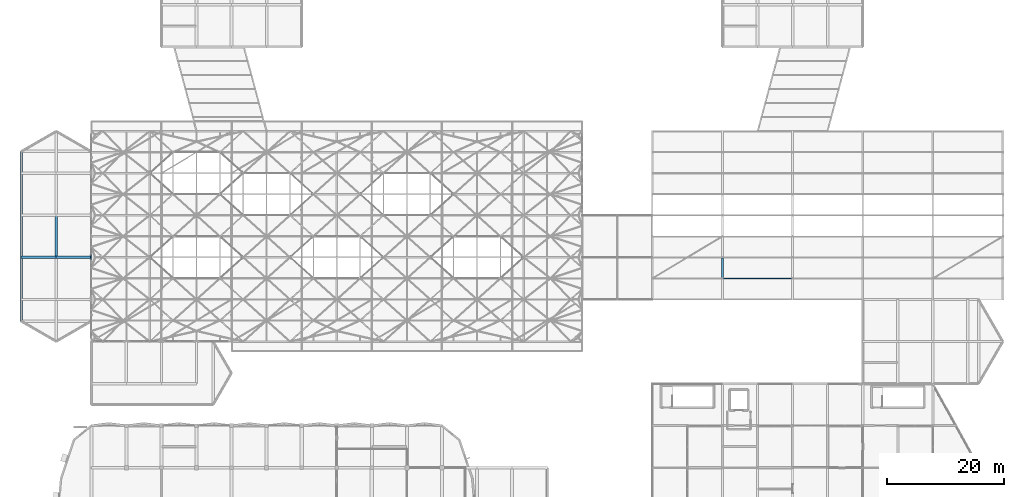
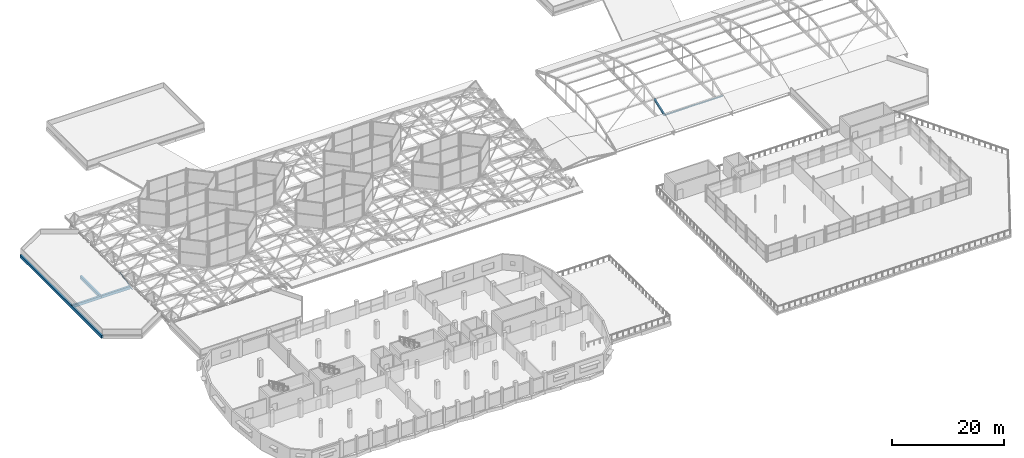
# One storey, part 50 of 239: 5 beams, 2 members.
"""IFC4 building model written with IfcOpenShell, lengths in metres."""

from ifc_helpers import new_model, si_unit, direction, frame, origin, origin_2d, place, context, subcontext, project, spatial, rectangle, hollow_circle, i_section, extrude, material, material_profile, profile_set, type_object, element, save


model = new_model("IFC4")

# Units and contexts
model_context = context("Model", 3, precision=1e-05, world=origin(), true_north=direction((0.0, 1.0)))
body_context = subcontext(model_context, "Body", "Model", "MODEL_VIEW")
ifc_project = project(units=[si_unit("LENGTHUNIT", "METRE"), si_unit("AREAUNIT", "SQUARE_METRE"), si_unit("VOLUMEUNIT", "CUBIC_METRE"), si_unit("PLANEANGLEUNIT", "RADIAN"), si_unit("MASSUNIT", "GRAM", prefix="KILO")], contexts=[model_context])

# Site, building, storey
site_placement = place(None, origin())
site = spatial("IfcSite", under=ifc_project, at=site_placement, CompositionType="ELEMENT")
building_placement = place(site_placement, origin())
building = spatial("IfcBuilding", under=site, at=building_placement, Name="Dunvalen Ferry Terminal", CompositionType="ELEMENT")
storey_placement = place(building_placement, frame((0.0, 0.0, 9.840087890625)))
storey = spatial("IfcBuildingStorey", under=building, at=storey_placement, Name="L02", CompositionType="ELEMENT", Elevation=9.840087890625)

# Beams
ifc_material_1 = material(Name="Steel S355", Category="steel")
ifc_material_profile_1 = material_profile(ifc_material_1, i_section(OverallWidth=0.300048828125, OverallDepth=0.389892578125, WebThickness=0.010986328125, FlangeThickness=0.01904296875, FilletRadius=0.027099609375, at=origin_2d()), Name="Steel S355")
ifc_profile_set_1 = profile_set([ifc_material_profile_1], Name="Steel S355")
beam_type_1 = type_object("IfcBeamType", Name="STR-BM-HEA400", PredefinedType="BEAM", material=ifc_profile_set_1)
beam_1_placement = place(storey_placement, frame((120.0, 61.199951171875, 1.530517578125), z_axis=(0.0, 0.940736051004, 0.33913962072), x_axis=(-1.0, 0.0, 0.0)))
element("IfcBeam", 1, at=beam_1_placement, inside=storey, type_object=beam_type_1, Name="Arrivals Hall Barrel-Vault Arch Rib 02.2", PredefinedType="BEAM", context=body_context, shape_type="SweptSolid", body=[
    extrude(i_section(OverallWidth=0.300048828125, OverallDepth=0.389892578125, WebThickness=0.010986328125, FlangeThickness=0.01904296875, FilletRadius=0.027099609375, at=origin_2d()), origin(), (0.0, 0.0, 1.0), 3.826904296875),
])
ifc_material_2 = material(Name="Concrete C35/45", Category="concrete")
ifc_material_profile_2 = material_profile(ifc_material_2, rectangle(XDim=0.39990234375, YDim=0.60009765625, at=origin_2d()), Name="Concrete C35/45")
ifc_profile_set_2 = profile_set([ifc_material_profile_2], Name="Concrete C35/45")
beam_type_2 = type_object("IfcBeamType", Name="STR-BM-RCB600", PredefinedType="BEAM", material=ifc_profile_set_2)
beam_2_placement = place(storey_placement, frame((0.0, 82.93603515625, -0.300048828125), z_axis=(0.0, -1.0, 0.0), x_axis=(1.0, 0.0, 0.0)))
element("IfcBeam", 2, at=beam_2_placement, inside=storey, type_object=beam_type_2, Name="L02 West Baggage Annex Ring Beam 05", PredefinedType="BEAM", context=body_context, shape_type="SweptSolid", body=[
    extrude(rectangle(XDim=0.39990234375, YDim=0.60009765625, at=origin_2d()), origin(), (0.0, 0.0, 1.0), 29.072021484375),
])
for number, where, z_axis, x_axis, name in (
    (3, (0.0, 64.800048828125, -0.300048828125), (1.0, 0.0, 0.0), (0.0, 1.0, 0.0), "L02 V1AW Primary Beam X-004"),
    (4, (6.0, 64.800048828125, -0.300048828125), (1.0, 0.0, 0.0), (0.0, 1.0, 0.0), "L02 V1AW Primary Beam X-005"),
):
    element("IfcBeam", number, at=place(storey_placement, frame(where, z_axis=z_axis, x_axis=x_axis)), inside=storey, type_object=beam_type_2, Name=name, PredefinedType="BEAM", context=body_context, shape_type="SweptSolid", body=[
        extrude(rectangle(XDim=0.39990234375, YDim=0.60009765625, at=origin_2d()), origin(), (0.0, 0.0, 1.0), 6.0),
    ])
ifc_material_3 = material(Name="Concrete C40/50", Category="concrete")
ifc_material_profile_3 = material_profile(ifc_material_3, rectangle(XDim=0.39990234375, YDim=0.64990234375, at=origin_2d()), Name="Concrete C40/50")
ifc_profile_set_3 = profile_set([ifc_material_profile_3], Name="Concrete C40/50")
beam_type_3 = type_object("IfcBeamType", Name="STR-BM-RCB650", PredefinedType="BEAM", material=ifc_profile_set_3)
beam_3_placement = place(storey_placement, frame((6.0, 64.800048828125, -0.3251953125), z_axis=(0.0, 1.0, 0.0), x_axis=(-1.0, 0.0, 0.0)))
element("IfcBeam", 5, at=beam_3_placement, inside=storey, type_object=beam_type_3, Name="L02 V1AW Primary Girder Y-018", PredefinedType="BEAM", context=body_context, shape_type="SweptSolid", body=[
    extrude(rectangle(XDim=0.39990234375, YDim=0.64990234375, at=origin_2d()), origin(), (0.0, 0.0, 1.0), 7.199951171875),
])

# Members
ifc_material_profile_4 = material_profile(ifc_material_1, hollow_circle(Radius=0.084228515625, WallThickness=0.008056640625, at=origin_2d()), Name="Steel S355")
ifc_profile_set_4 = profile_set([ifc_material_profile_4], Name="Steel S355")
member_type_1 = type_object("IfcMemberType", Name="STR-MB-CHS168", PredefinedType="BRACE", material=ifc_profile_set_4)
member_1_placement = place(storey_placement, frame((12.0, 63.89990234375, -0.360107421875), z_axis=(0.0, 0.972383470914, 0.233388914677), x_axis=(-1.0, 0.0, 0.0)))
element("IfcMember", 6, at=member_1_placement, inside=storey, type_object=member_type_1, Name="Departure Hall Arch Web Diagonal 01.4", PredefinedType="BRACE", context=body_context, shape_type="SweptSolid", body=[
    extrude(hollow_circle(Radius=0.084228515625, WallThickness=0.008056640625, at=origin_2d()), origin(), (0.0, 0.0, 1.0), 4.627685546875),
])
ifc_material_profile_5 = material_profile(ifc_material_1, i_section(OverallWidth=0.110107421875, OverallDepth=0.219970703125, WebThickness=0.005859375, FlangeThickness=0.00927734375, FilletRadius=0.011962890625, at=origin_2d()), Name="Steel S355")
ifc_profile_set_5 = profile_set([ifc_material_profile_5], Name="Steel S355")
member_type_2 = type_object("IfcMemberType", Name="STR-MB-IPE220", PredefinedType="PURLIN", material=ifc_profile_set_5)
member_2_placement = place(storey_placement, frame((120.0, 61.199951171875, 1.530517578125), z_axis=(1.0, 0.0, 0.0), x_axis=(0.0, 1.0, 0.0)))
element("IfcMember", 7, at=member_2_placement, inside=storey, type_object=member_type_2, Name="Arrivals Hall Barrel-Vault Purlin 2.2", PredefinedType="PURLIN", context=body_context, shape_type="SweptSolid", body=[
    extrude(i_section(OverallWidth=0.110107421875, OverallDepth=0.219970703125, WebThickness=0.005859375, FlangeThickness=0.00927734375, FilletRadius=0.011962890625, at=origin_2d()), origin(), (0.0, 0.0, 1.0), 12.0),
])

save(model, "model.ifc")
